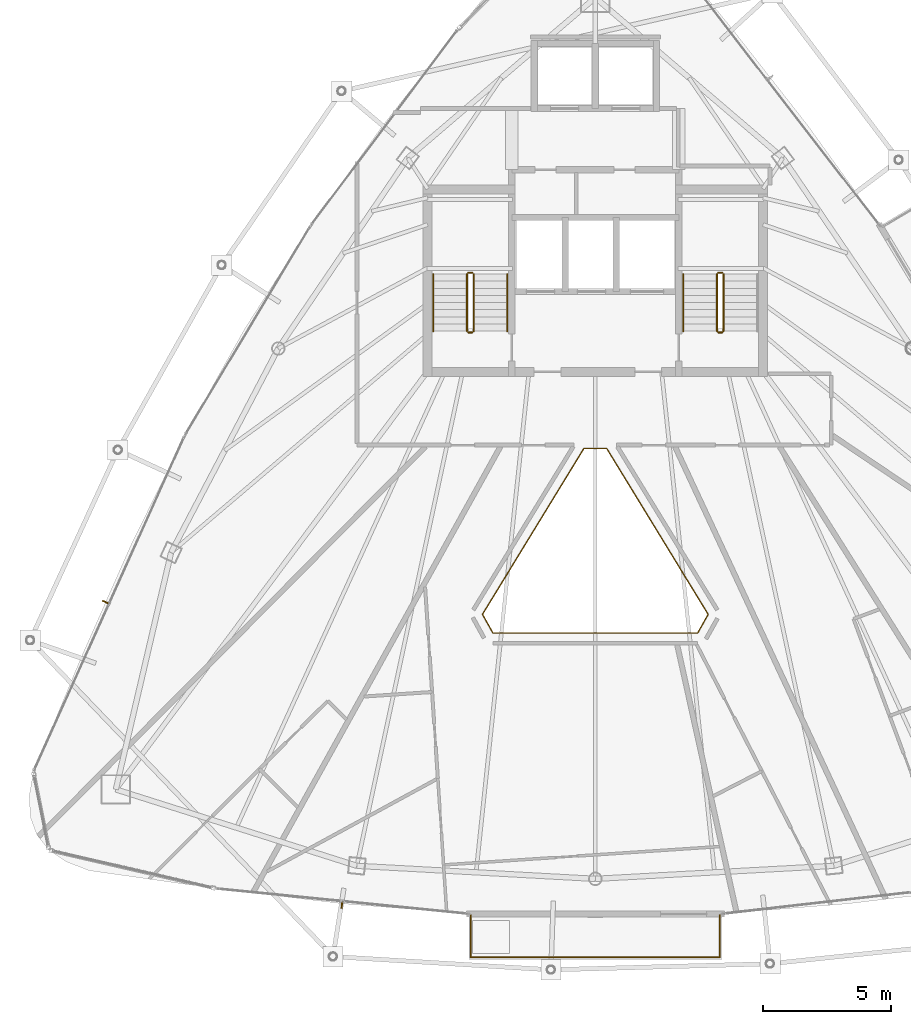
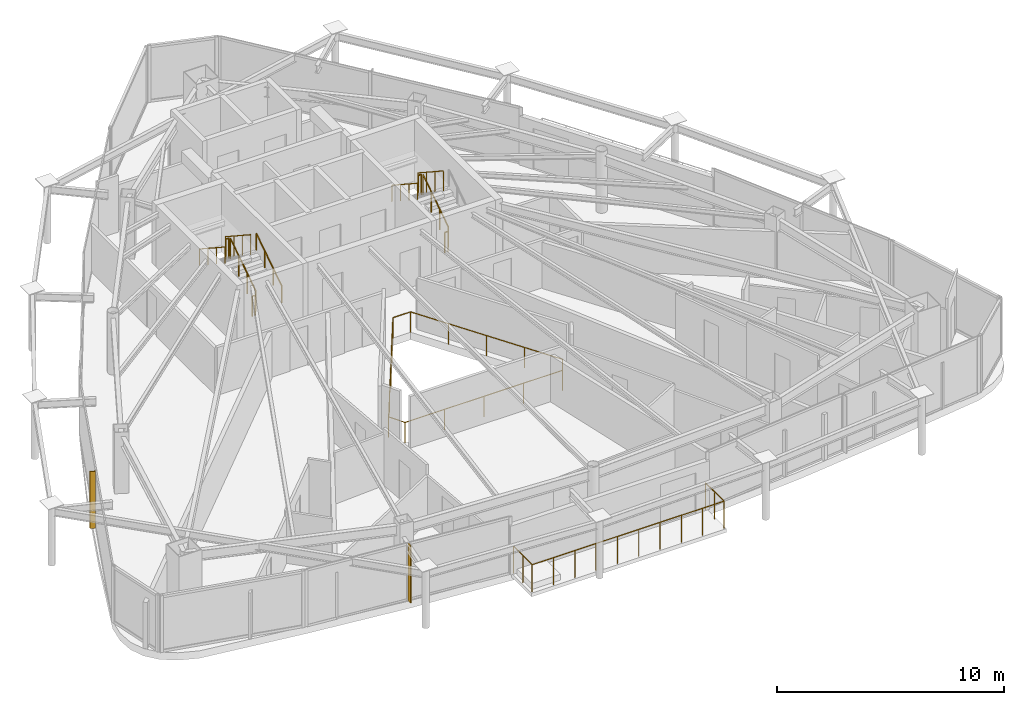
# One storey, part 28 of 29: 13 railings, 2 shading devices.
"""IFC4 building model written with IfcOpenShell, lengths in metres."""

from ifc_helpers import new_model, si_unit, direction, frame, origin, origin_2d, place, context, subcontext, project, spatial, rectangle, circle, extrude, material, layer, layer_set, type_object, element, save


model = new_model("IFC4")

# Units and contexts
model_context = context("Model", 3, precision=1e-05, world=origin(), true_north=direction((0.0, 1.0)))
body_context = subcontext(model_context, "Body", "Model", "MODEL_VIEW")
ifc_project = project(units=[si_unit("LENGTHUNIT", "METRE"), si_unit("AREAUNIT", "SQUARE_METRE"), si_unit("VOLUMEUNIT", "CUBIC_METRE"), si_unit("PLANEANGLEUNIT", "RADIAN"), si_unit("MASSUNIT", "GRAM", prefix="KILO")], contexts=[model_context])

# Site, building, storey
site_placement = place(None, origin())
site = spatial("IfcSite", under=ifc_project, at=site_placement, CompositionType="ELEMENT")
building_placement = place(site_placement, origin())
building = spatial("IfcBuilding", under=site, at=building_placement, Name="Orvanel Arch Residences", CompositionType="ELEMENT")
storey_placement = place(building_placement, frame((0.0, 0.0, 256.85009765625)))
storey = spatial("IfcBuildingStorey", under=building, at=storey_placement, Name="L73", CompositionType="ELEMENT", Elevation=256.85009765625)

# Shading devices
ifc_material_1 = material(Name="Bronze-anodised aluminium AA6063-T6", Category="aluminium")
ifc_layer = layer(ifc_material_1, 0.050048828125)
ifc_layer_set = layer_set([ifc_layer], Name="Bronze-anodised aluminium AA6063-T6")
shading_device_type = type_object("IfcShadingDeviceType", Name="FIN-BRZ-260", PredefinedType="USERDEFINED", material=ifc_layer_set)
for number, where, z_axis, x_axis, name in (
    (1, (13.7939453125, 17.696044921875, -0.000244140625), (0.0, 0.0, 1.0), (-0.912120116172, 0.409923033842, 0.0), "L73 Anodised Bronze Mullion FIN 01"),
    (2, (23.06298828125, 5.81298828125, -0.000244140625), (0.0, 0.0, 1.0), (-0.099319749744, -0.995055569961, 0.0), "L73 Anodised Bronze Mullion FIN 01"),
):
    element("IfcShadingDevice", number, at=place(storey_placement, frame(where, z_axis=z_axis, x_axis=x_axis)), inside=storey, type_object=shading_device_type, Name=name, ObjectType="FIN", PredefinedType="USERDEFINED", context=body_context, shape_type="SweptSolid", body=[
        extrude(rectangle(XDim=0.260009765625, YDim=0.050048828125, at=origin_2d()), origin(), (0.0, 0.0, 1.0), 3.06005859375),
    ])

# Railings
railing_type_1 = type_object("IfcRailingType", Name="RL-ATR-1120", PredefinedType="BALUSTRADE", material=ifc_material_1)
railing_1_placement = place(storey_placement, frame((33.447998046875, 23.717041015625, 0.0)))
element("IfcRailing", 3, at=railing_1_placement, inside=storey, type_object=railing_type_1, Name="L73 Atrium Void Protective Balustrade", PredefinedType="BALUSTRADE", context=body_context, shape_type="SweptSolid", body=[
    extrude(circle(Radius=0.02392578125, at=origin_2d()), frame((-0.00146484375, 0.0, 1.09619140625), z_axis=(-1.0, 0.0, 0.0), x_axis=(0.0, -1.0, 0.0)), (0.0, 0.0, 1.0), 0.89306640625),
    extrude(circle(Radius=0.02392578125, at=origin_2d()), frame((-0.896728515625, -0.001220703125, 1.09619140625), z_axis=(-0.521610684309, -0.853183622683, 0.0), x_axis=(0.853183622683, -0.521610684309, 0.0)), (0.0, 0.0, 1.0), 7.617919921875),
    extrude(circle(Radius=0.02392578125, at=origin_2d()), frame((-4.870361328125, -6.503173828125, 1.09619140625), z_axis=(0.489116257899, -0.872218600042, 0.0), x_axis=(0.872218600042, 0.489116257899, 0.0)), (0.0, 0.0, 1.0), 0.837646484375),
    extrude(circle(Radius=0.02392578125, at=origin_2d()), frame((-4.45849609375, -7.235107421875, 1.09619140625), z_axis=(1.0, 0.0, 0.0), x_axis=(0.0, 1.0, 0.0)), (0.0, 0.0, 1.0), 8.02099609375),
    extrude(circle(Radius=0.02392578125, at=origin_2d()), frame((3.564697265625, -7.23388671875, 1.09619140625), z_axis=(0.489116257899, 0.872218600042, 0.0), x_axis=(-0.872218600042, 0.489116257899, 0.0)), (0.0, 0.0, 1.0), 0.837646484375),
    extrude(circle(Radius=0.02392578125, at=origin_2d()), frame((3.974365234375, -6.500732421875, 1.09619140625), z_axis=(-0.521610684309, 0.853183622683, 0.0), x_axis=(-0.853183622683, -0.521610684309, 0.0)), (0.0, 0.0, 1.0), 7.617919921875),
    extrude(circle(Radius=0.02099609375, at=origin_2d()), origin(), (0.0, 0.0, 1.0), 1.070068359375),
    extrude(circle(Radius=0.02099609375, at=origin_2d()), frame((-0.89599609375, 0.0, 0.0)), (0.0, 0.0, 1.0), 1.070068359375),
    extrude(circle(Radius=0.02099609375, at=origin_2d()), frame((-1.8896484375, -1.62548828125, 0.0)), (0.0, 0.0, 1.0), 1.070068359375),
    extrude(circle(Radius=0.02099609375, at=origin_2d()), frame((-2.883544921875, -3.2509765625, 0.0)), (0.0, 0.0, 1.0), 1.070068359375),
    extrude(circle(Radius=0.02099609375, at=origin_2d()), frame((-3.87744140625, -4.87646484375, 0.0)), (0.0, 0.0, 1.0), 1.070068359375),
    extrude(circle(Radius=0.02099609375, at=origin_2d()), frame((-4.87109375, -6.501953125, 0.0)), (0.0, 0.0, 1.0), 1.070068359375),
    extrude(circle(Radius=0.02099609375, at=origin_2d()), frame((-4.4599609375, -7.235107421875, 0.0)), (0.0, 0.0, 1.0), 1.070068359375),
    extrude(circle(Radius=0.02099609375, at=origin_2d()), frame((-2.4541015625, -7.235107421875, 0.0)), (0.0, 0.0, 1.0), 1.070068359375),
    extrude(circle(Radius=0.02099609375, at=origin_2d()), frame((-0.447998046875, -7.235107421875, 0.0)), (0.0, 0.0, 1.0), 1.070068359375),
    extrude(circle(Radius=0.02099609375, at=origin_2d()), frame((1.55810546875, -7.235107421875, 0.0)), (0.0, 0.0, 1.0), 1.070068359375),
    extrude(circle(Radius=0.02099609375, at=origin_2d()), frame((3.56396484375, -7.235107421875, 0.0)), (0.0, 0.0, 1.0), 1.070068359375),
    extrude(circle(Radius=0.02099609375, at=origin_2d()), frame((3.97509765625, -6.501953125, 0.0)), (0.0, 0.0, 1.0), 1.070068359375),
    extrude(circle(Radius=0.02099609375, at=origin_2d()), frame((2.9814453125, -4.87646484375, 0.0)), (0.0, 0.0, 1.0), 1.070068359375),
    extrude(circle(Radius=0.02099609375, at=origin_2d()), frame((1.987548828125, -3.2509765625, 0.0)), (0.0, 0.0, 1.0), 1.070068359375),
    extrude(circle(Radius=0.02099609375, at=origin_2d()), frame((0.99365234375, -1.62548828125, 0.0)), (0.0, 0.0, 1.0), 1.070068359375),
])
railing_type_2 = type_object("IfcRailingType", Name="RL-BAL-1480", PredefinedType="BALUSTRADE", material=ifc_material_1)
railing_2_placement = place(storey_placement, frame((28.118896484375, 5.409912109375, 0.0)))
element("IfcRailing", 4, at=railing_2_placement, inside=storey, type_object=railing_type_2, Name="L73 Balcony Perimeter Guardrail Face 2", PredefinedType="BALUSTRADE", context=body_context, shape_type="SweptSolid", body=[
    extrude(circle(Radius=0.02392578125, at=origin_2d()), frame((0.0, -0.00146484375, 1.4560546875), z_axis=(0.0, -1.0, 0.0), x_axis=(1.0, 0.0, 0.0)), (0.0, 0.0, 1.0), 1.636962890625),
    extrude(circle(Radius=0.02392578125, at=origin_2d()), frame((0.00146484375, -1.639892578125, 1.4560546875), z_axis=(1.0, 0.0, 0.0), x_axis=(0.0, 1.0, 0.0)), (0.0, 0.0, 1.0), 9.75927734375),
    extrude(circle(Radius=0.02392578125, at=origin_2d()), frame((9.76220703125, -1.638427734375, 1.4560546875), z_axis=(0.0, 1.0, 0.0), x_axis=(-1.0, 0.0, 0.0)), (0.0, 0.0, 1.0), 1.636962890625),
    extrude(circle(Radius=0.02099609375, at=origin_2d()), origin(), (0.0, 0.0, 1.0), 1.429931640625),
    extrude(circle(Radius=0.02099609375, at=origin_2d()), frame((0.0, -0.81982421875, 0.0)), (0.0, 0.0, 1.0), 1.429931640625),
    extrude(circle(Radius=0.02099609375, at=origin_2d()), frame((0.0, -1.639892578125, 0.0)), (0.0, 0.0, 1.0), 1.429931640625),
    extrude(circle(Radius=0.02099609375, at=origin_2d()), frame((1.084716796875, -1.639892578125, 0.0)), (0.0, 0.0, 1.0), 1.429931640625),
    extrude(circle(Radius=0.02099609375, at=origin_2d()), frame((2.16943359375, -1.639892578125, 0.0)), (0.0, 0.0, 1.0), 1.429931640625),
    extrude(circle(Radius=0.02099609375, at=origin_2d()), frame((3.254150390625, -1.639892578125, 0.0)), (0.0, 0.0, 1.0), 1.429931640625),
    extrude(circle(Radius=0.02099609375, at=origin_2d()), frame((4.3388671875, -1.639892578125, 0.0)), (0.0, 0.0, 1.0), 1.429931640625),
    extrude(circle(Radius=0.02099609375, at=origin_2d()), frame((5.42333984375, -1.639892578125, 0.0)), (0.0, 0.0, 1.0), 1.429931640625),
    extrude(circle(Radius=0.02099609375, at=origin_2d()), frame((6.508056640625, -1.639892578125, 0.0)), (0.0, 0.0, 1.0), 1.429931640625),
    extrude(circle(Radius=0.02099609375, at=origin_2d()), frame((7.5927734375, -1.639892578125, 0.0)), (0.0, 0.0, 1.0), 1.429931640625),
    extrude(circle(Radius=0.02099609375, at=origin_2d()), frame((8.677490234375, -1.639892578125, 0.0)), (0.0, 0.0, 1.0), 1.429931640625),
    extrude(circle(Radius=0.02099609375, at=origin_2d()), frame((9.76220703125, -1.639892578125, 0.0)), (0.0, 0.0, 1.0), 1.429931640625),
    extrude(circle(Radius=0.02099609375, at=origin_2d()), frame((9.76220703125, -0.81982421875, 0.0)), (0.0, 0.0, 1.0), 1.429931640625),
    extrude(circle(Radius=0.02099609375, at=origin_2d()), frame((9.76220703125, 0.0, 0.0)), (0.0, 0.0, 1.0), 1.429931640625),
])
ifc_material_2 = material(Name="Structural steel AS/NZS 1163 C350L0 (Grade 350)", Category="steel")
railing_type_3 = type_object("IfcRailingType", Name="RL-STAIR-GUARD", PredefinedType="GUARDRAIL", material=ifc_material_2)
railing_3_placement = place(storey_placement, frame((28.22998046875, 28.320068359375, 0.183349609375)))
element("IfcRailing", 5, at=railing_3_placement, inside=storey, type_object=railing_type_3, Name="L73 ST-1 stair guard 1", PredefinedType="GUARDRAIL", context=body_context, shape_type="SweptSolid", body=[
    extrude(circle(Radius=0.02392578125, at=origin_2d()), frame((0.0, 0.001220703125, 1.076904296875), z_axis=(0.0, 0.836636935527, 0.547757827979), x_axis=(-1.0, 0.0, 0.0)), (0.0, 0.0, 1.0), 2.67431640625),
    extrude(circle(Radius=0.02099609375, at=origin_2d()), origin(), (0.0, 0.0, 1.0), 1.050048828125),
    extrude(circle(Radius=0.02099609375, at=origin_2d()), frame((0.0, 0.74658203125, 0.48876953125)), (0.0, 0.0, 1.0), 1.050048828125),
    extrude(circle(Radius=0.02099609375, at=origin_2d()), frame((0.0, 1.493408203125, 0.977783203125)), (0.0, 0.0, 1.0), 1.050048828125),
    extrude(circle(Radius=0.02099609375, at=origin_2d()), frame((0.0, 2.239990234375, 1.466552734375)), (0.0, 0.0, 1.0), 1.050048828125),
])
railing_4_placement = place(storey_placement, frame((28.179931640625, 30.610107421875, 1.64990234375)))
element("IfcRailing", 6, at=railing_4_placement, inside=storey, type_object=railing_type_3, Name="L73 ST-1 stair guard 2", PredefinedType="GUARDRAIL", context=body_context, shape_type="SweptSolid", body=[
    extrude(circle(Radius=0.02392578125, at=origin_2d()), frame((-0.00146484375, 0.0, 1.076171875), z_axis=(-1.0, 0.0, 0.0), x_axis=(0.0, -1.0, 0.0)), (0.0, 0.0, 1.0), 0.156982421875),
    extrude(circle(Radius=0.02099609375, at=origin_2d()), origin(), (0.0, 0.0, 1.0), 1.050048828125),
    extrude(circle(Radius=0.02099609375, at=origin_2d()), frame((-0.159912109375, 0.0, 0.0)), (0.0, 0.0, 1.0), 1.050048828125),
])
railing_5_placement = place(storey_placement, frame((27.969970703125, 30.56005859375, 1.833251953125)))
element("IfcRailing", 7, at=railing_5_placement, inside=storey, type_object=railing_type_3, Name="L73 ST-1 stair guard 3", PredefinedType="GUARDRAIL", context=body_context, shape_type="SweptSolid", body=[
    extrude(circle(Radius=0.02392578125, at=origin_2d()), frame((0.0, -0.001220703125, 1.076904296875), z_axis=(0.0, -0.836636935527, 0.547757827979), x_axis=(1.0, 0.0, 0.0)), (0.0, 0.0, 1.0), 2.67431640625),
    extrude(circle(Radius=0.02099609375, at=origin_2d()), origin(), (0.0, 0.0, 1.0), 1.050048828125),
    extrude(circle(Radius=0.02099609375, at=origin_2d()), frame((0.0, -0.74658203125, 0.48876953125)), (0.0, 0.0, 1.0), 1.050048828125),
    extrude(circle(Radius=0.02099609375, at=origin_2d()), frame((0.0, -1.493408203125, 0.977783203125)), (0.0, 0.0, 1.0), 1.050048828125),
    extrude(circle(Radius=0.02099609375, at=origin_2d()), frame((0.0, -2.239990234375, 1.466552734375)), (0.0, 0.0, 1.0), 1.050048828125),
])
railing_6_placement = place(storey_placement, frame((28.179931640625, 28.27001953125, 0.0)))
element("IfcRailing", 8, at=railing_6_placement, inside=storey, type_object=railing_type_3, Name="L73 ST-1 stair guard 4", PredefinedType="GUARDRAIL", context=body_context, shape_type="SweptSolid", body=[
    extrude(circle(Radius=0.02392578125, at=origin_2d()), frame((-0.00146484375, 0.0, 1.076171875), z_axis=(-1.0, 0.0, 0.0), x_axis=(0.0, -1.0, 0.0)), (0.0, 0.0, 1.0), 0.156982421875),
    extrude(circle(Radius=0.02099609375, at=origin_2d()), origin(), (0.0, 0.0, 1.0), 1.050048828125),
    extrude(circle(Radius=0.02099609375, at=origin_2d()), frame((-0.159912109375, 0.0, 0.0)), (0.0, 0.0, 1.0), 1.050048828125),
])
railing_7_placement = place(storey_placement, frame((38.030029296875, 28.320068359375, 0.183349609375)))
element("IfcRailing", 9, at=railing_7_placement, inside=storey, type_object=railing_type_3, Name="L73 ST-2 stair guard 1", PredefinedType="GUARDRAIL", context=body_context, shape_type="SweptSolid", body=[
    extrude(circle(Radius=0.02392578125, at=origin_2d()), frame((0.0, 0.001220703125, 1.076904296875), z_axis=(0.0, 0.836636935527, 0.547757827979), x_axis=(-1.0, 0.0, 0.0)), (0.0, 0.0, 1.0), 2.67431640625),
    extrude(circle(Radius=0.02099609375, at=origin_2d()), origin(), (0.0, 0.0, 1.0), 1.050048828125),
    extrude(circle(Radius=0.02099609375, at=origin_2d()), frame((0.0, 0.74658203125, 0.48876953125)), (0.0, 0.0, 1.0), 1.050048828125),
    extrude(circle(Radius=0.02099609375, at=origin_2d()), frame((0.0, 1.493408203125, 0.977783203125)), (0.0, 0.0, 1.0), 1.050048828125),
    extrude(circle(Radius=0.02099609375, at=origin_2d()), frame((0.0, 2.239990234375, 1.466552734375)), (0.0, 0.0, 1.0), 1.050048828125),
])
railing_8_placement = place(storey_placement, frame((37.97998046875, 30.610107421875, 1.64990234375)))
element("IfcRailing", 10, at=railing_8_placement, inside=storey, type_object=railing_type_3, Name="L73 ST-2 stair guard 2", PredefinedType="GUARDRAIL", context=body_context, shape_type="SweptSolid", body=[
    extrude(circle(Radius=0.02392578125, at=origin_2d()), frame((-0.00146484375, 0.0, 1.076171875), z_axis=(-1.0, 0.0, 0.0), x_axis=(0.0, -1.0, 0.0)), (0.0, 0.0, 1.0), 0.156982421875),
    extrude(circle(Radius=0.02099609375, at=origin_2d()), origin(), (0.0, 0.0, 1.0), 1.050048828125),
    extrude(circle(Radius=0.02099609375, at=origin_2d()), frame((-0.159912109375, 0.0, 0.0)), (0.0, 0.0, 1.0), 1.050048828125),
])
railing_9_placement = place(storey_placement, frame((37.77001953125, 30.56005859375, 1.833251953125)))
element("IfcRailing", 11, at=railing_9_placement, inside=storey, type_object=railing_type_3, Name="L73 ST-2 stair guard 3", PredefinedType="GUARDRAIL", context=body_context, shape_type="SweptSolid", body=[
    extrude(circle(Radius=0.02392578125, at=origin_2d()), frame((0.0, -0.001220703125, 1.076904296875), z_axis=(0.0, -0.836636935527, 0.547757827979), x_axis=(1.0, 0.0, 0.0)), (0.0, 0.0, 1.0), 2.67431640625),
    extrude(circle(Radius=0.02099609375, at=origin_2d()), origin(), (0.0, 0.0, 1.0), 1.050048828125),
    extrude(circle(Radius=0.02099609375, at=origin_2d()), frame((0.0, -0.74658203125, 0.48876953125)), (0.0, 0.0, 1.0), 1.050048828125),
    extrude(circle(Radius=0.02099609375, at=origin_2d()), frame((0.0, -1.493408203125, 0.977783203125)), (0.0, 0.0, 1.0), 1.050048828125),
    extrude(circle(Radius=0.02099609375, at=origin_2d()), frame((0.0, -2.239990234375, 1.466552734375)), (0.0, 0.0, 1.0), 1.050048828125),
])
railing_10_placement = place(storey_placement, frame((37.97998046875, 28.27001953125, 0.0)))
element("IfcRailing", 12, at=railing_10_placement, inside=storey, type_object=railing_type_3, Name="L73 ST-2 stair guard 4", PredefinedType="GUARDRAIL", context=body_context, shape_type="SweptSolid", body=[
    extrude(circle(Radius=0.02392578125, at=origin_2d()), frame((-0.00146484375, 0.0, 1.076171875), z_axis=(-1.0, 0.0, 0.0), x_axis=(0.0, -1.0, 0.0)), (0.0, 0.0, 1.0), 0.156982421875),
    extrude(circle(Radius=0.02099609375, at=origin_2d()), origin(), (0.0, 0.0, 1.0), 1.050048828125),
    extrude(circle(Radius=0.02099609375, at=origin_2d()), frame((-0.159912109375, 0.0, 0.0)), (0.0, 0.0, 1.0), 1.050048828125),
])
railing_type_4 = type_object("IfcRailingType", Name="RL-STAIR-HAND", PredefinedType="HANDRAIL", material=ifc_material_2)
railing_11_placement = place(storey_placement, frame((29.550048828125, 28.320068359375, 0.183349609375)))
element("IfcRailing", 13, at=railing_11_placement, inside=storey, type_object=railing_type_4, Name="L73 ST-1 stair handrail 1", PredefinedType="HANDRAIL", context=body_context, shape_type="SweptSolid", body=[
    extrude(circle(Radius=0.02392578125, at=origin_2d()), frame((0.0, 0.001220703125, 0.876708984375), z_axis=(0.0, 0.836636935527, 0.547757827979), x_axis=(-1.0, 0.0, 0.0)), (0.0, 0.0, 1.0), 2.67431640625),
    extrude(circle(Radius=0.02099609375, at=origin_2d()), origin(), (0.0, 0.0, 1.0), 0.849853515625),
    extrude(circle(Radius=0.02099609375, at=origin_2d()), frame((0.0, 0.74658203125, 0.48876953125)), (0.0, 0.0, 1.0), 0.849853515625),
    extrude(circle(Radius=0.02099609375, at=origin_2d()), frame((0.0, 1.493408203125, 0.977783203125)), (0.0, 0.0, 1.0), 0.849853515625),
    extrude(circle(Radius=0.02099609375, at=origin_2d()), frame((0.0, 2.239990234375, 1.466552734375)), (0.0, 0.0, 1.0), 0.849853515625),
])
for number, where, name in (
    (14, (26.64990234375, 30.56005859375, 1.833251953125), "L73 ST-1 stair handrail 2"),
    (15, (36.449951171875, 30.56005859375, 1.833251953125), "L73 ST-2 stair handrail 2"),
):
    element("IfcRailing", number, at=place(storey_placement, frame(where)), inside=storey, type_object=railing_type_4, Name=name, PredefinedType="HANDRAIL", context=body_context, shape_type="SweptSolid", body=[
        extrude(circle(Radius=0.02392578125, at=origin_2d()), frame((0.0, -0.001220703125, 0.876708984375), z_axis=(0.0, -0.836636935527, 0.547757827979), x_axis=(1.0, 0.0, 0.0)), (0.0, 0.0, 1.0), 2.67431640625),
        extrude(circle(Radius=0.02099609375, at=origin_2d()), origin(), (0.0, 0.0, 1.0), 0.849853515625),
        extrude(circle(Radius=0.02099609375, at=origin_2d()), frame((0.0, -0.74658203125, 0.48876953125)), (0.0, 0.0, 1.0), 0.849853515625),
        extrude(circle(Radius=0.02099609375, at=origin_2d()), frame((0.0, -1.493408203125, 0.977783203125)), (0.0, 0.0, 1.0), 0.849853515625),
        extrude(circle(Radius=0.02099609375, at=origin_2d()), frame((0.0, -2.239990234375, 1.466552734375)), (0.0, 0.0, 1.0), 0.849853515625),
    ])

save(model, "model.ifc")
